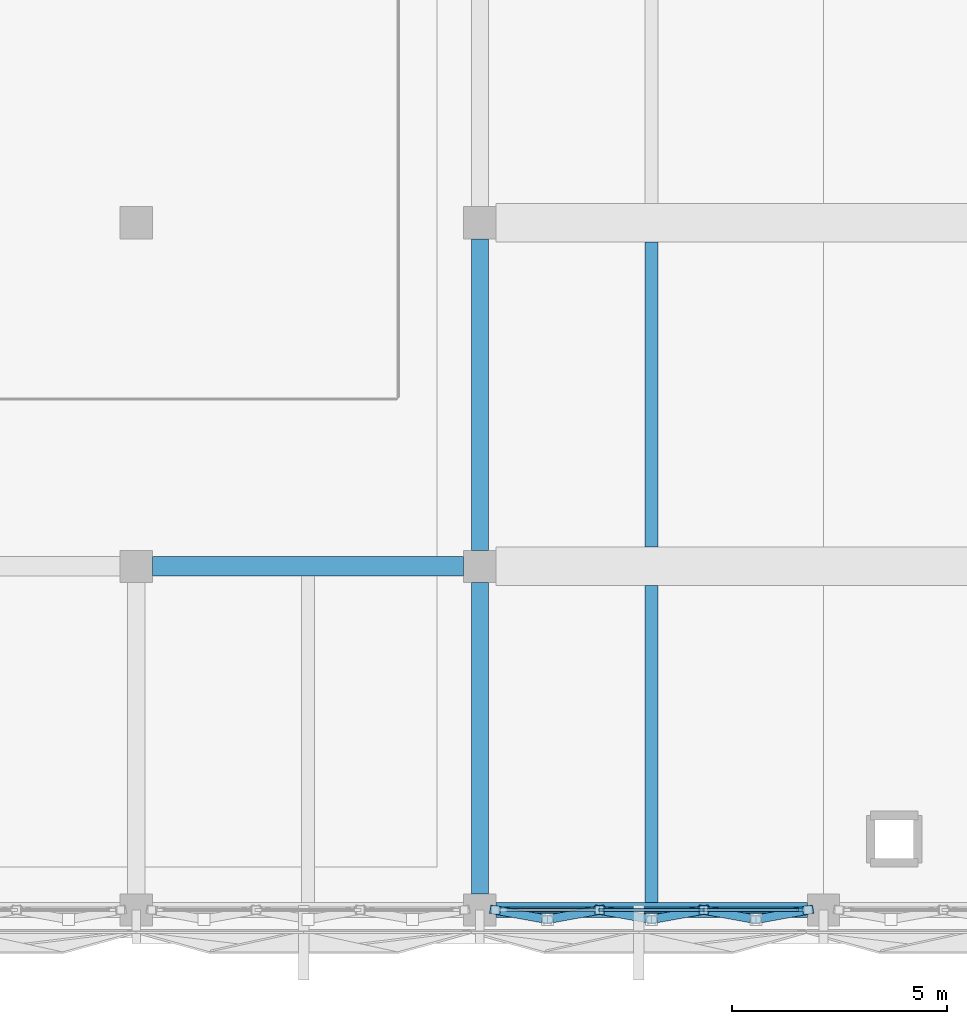
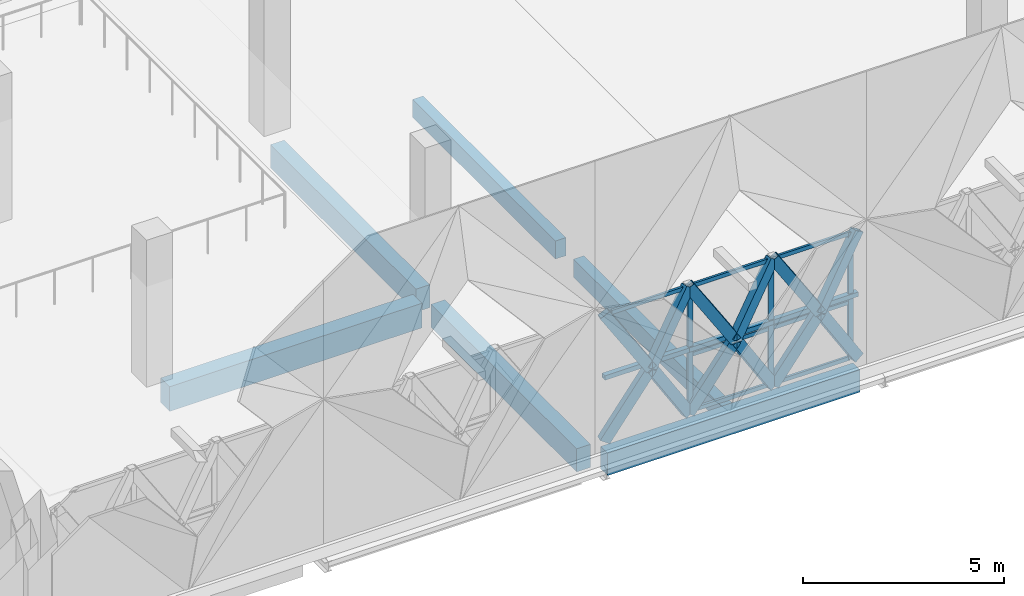
# One storey, part 6 of 53: 25 members, 6 beams, 1 element without a shape of its own.
"""IFC4 building model written with IfcOpenShell, lengths in metres."""

import ifcopenshell
import ifcopenshell.guid

model = None  # the IFC model being written
_history = None  # IfcOwnerHistory: only IFC2X3 demands one
_inside = {}  # id of a spatial element -> (the spatial element, [elements in it])
_under = {}  # id of a project, library or spatial element -> (it, [spatial elements below it])
_declared = {}  # id of a project -> (the project, [libraries it declares])
_typed = {}  # id of a type object -> (the type object, [elements of that type])
_made_of = {}  # id of a material, layer set ... -> (it, [elements and type objects made of it])


def new_model(schema):
    """Start an empty IFC model of exactly this schema.

    Asked for "IFC4X3", IfcOpenShell would pick the latest addendum, in which some entities
    have other attributes; the version numbers below select the first issue.
    IFC2X3 requires an IfcOwnerHistory on every rooted entity: one is made here for all.
    """
    global model, _history
    if schema == "IFC4X3":
        model = ifcopenshell.file(schema_version=(4, 3, 0, 0))
    else:
        model = ifcopenshell.file(schema=schema)
    _inside.clear()
    _under.clear()
    _declared.clear()
    _typed.clear()
    _made_of.clear()
    _history = None
    if model.schema == "IFC2X3":
        org = make("IfcOrganization", Name="unknown")
        user = make(
            "IfcPersonAndOrganization",
            ThePerson=make("IfcPerson", FamilyName="unknown"),
            TheOrganization=org,
        )
        app = make(
            "IfcApplication",
            ApplicationDeveloper=org,
            Version="unknown",
            ApplicationFullName="unknown",
            ApplicationIdentifier="unknown",
        )
        _history = make(
            "IfcOwnerHistory",
            OwningUser=user,
            OwningApplication=app,
            ChangeAction="ADDED",
            CreationDate=0,
        )
    return model


def make(cls, **values):
    """One entity of the class cls with the attributes given. An attribute that is None is left unset."""
    return model.create_entity(
        cls, **{name: value for name, value in values.items() if value is not None}
    )


def rooted(cls, **values):
    """An entity with a GlobalId (a new one), such as an element, a storey or a relation."""
    return make(cls, GlobalId=ifcopenshell.guid.new(), OwnerHistory=_history, **values)


def si_unit(unit_type, name, prefix=None):
    """IfcSIUnit, for example si_unit("LENGTHUNIT", "METRE", prefix="MILLI")."""
    return make("IfcSIUnit", UnitType=unit_type, Prefix=prefix, Name=name)


def assignment(units):
    """IfcUnitAssignment: the units of a project."""
    return None if units is None else make("IfcUnitAssignment", Units=units)


def point(xyz):
    """IfcCartesianPoint."""
    return None if xyz is None else make("IfcCartesianPoint", Coordinates=xyz)


def direction(xyz):
    """IfcDirection."""
    return None if xyz is None else make("IfcDirection", DirectionRatios=xyz)


def frame(location, z_axis=None, x_axis=None):
    """IfcAxis2Placement3D, a coordinate frame: its origin and axes. An axis left out is left unset."""
    return make(
        "IfcAxis2Placement3D",
        Location=point(location),
        Axis=direction(z_axis),
        RefDirection=direction(x_axis),
    )


def frame_2d(location, x_axis=None):
    """IfcAxis2Placement2D, a coordinate frame in the plane: its origin and x axis."""
    return make(
        "IfcAxis2Placement2D", Location=point(location), RefDirection=direction(x_axis)
    )


def origin():
    """The frame at (0, 0, 0) with its axes left unset."""
    return frame((0.0, 0.0, 0.0))


def origin_2d():
    """The frame at (0, 0) in the plane with its x axis left unset."""
    return frame_2d((0.0, 0.0))


def place(relative_to, where):
    """IfcLocalPlacement: puts the frame where relative to a parent placement (None: the world)."""
    return make(
        "IfcLocalPlacement", PlacementRelTo=relative_to, RelativePlacement=where
    )


def context(
    kind, dimensions, precision=None, world=None, true_north=None, identifier=None
):
    """IfcGeometricRepresentationContext, for example the 3D "Model" context."""
    return make(
        "IfcGeometricRepresentationContext",
        ContextIdentifier=identifier,
        ContextType=kind,
        CoordinateSpaceDimension=dimensions,
        Precision=precision,
        WorldCoordinateSystem=world,
        TrueNorth=true_north,
    )


def subcontext(parent, identifier, kind, view, scale=None):
    """IfcGeometricRepresentationSubContext, for example "Body" below "Model"."""
    return make(
        "IfcGeometricRepresentationSubContext",
        ContextIdentifier=identifier,
        ContextType=kind,
        ParentContext=parent,
        TargetScale=scale,
        TargetView=view,
    )


def project(units=None, contexts=None):
    """IfcProject with its units and contexts."""
    return rooted(
        "IfcProject",
        Name="project",
        RepresentationContexts=contexts,
        UnitsInContext=assignment(units),
    )


def spatial(cls, under=None, at=None, **own):
    """A site, building, storey or space (cls), placed at a placement, below another one or the project."""
    s = rooted(cls, ObjectPlacement=at, **own)
    if under is not None:
        _under.setdefault(under.id(), (under, []))[1].append(s)
    return s


def profile(cls, at=None, kind="AREA", **sizes):
    """A parametric profile (cls). Its sizes go by their IFC names, for example OverallWidth=200.0."""
    return make(cls, ProfileType=kind, Position=at, **sizes)


def rectangle(**sizes):
    """IfcRectangleProfileDef."""
    return profile("IfcRectangleProfileDef", **sizes)


def hollow_rectangle(**sizes):
    """IfcRectangleHollowProfileDef."""
    return profile("IfcRectangleHollowProfileDef", **sizes)


def extrude(swept, where, along, depth):
    """IfcExtrudedAreaSolid: the profile swept, set in the frame where, extruded along a direction by depth."""
    return make(
        "IfcExtrudedAreaSolid",
        SweptArea=swept,
        Position=where,
        ExtrudedDirection=direction(along),
        Depth=depth,
    )


def shape(context_of_items, identifier, shape_type, items):
    """IfcShapeRepresentation: the items that make up one representation, for example the "Body"."""
    return make(
        "IfcShapeRepresentation",
        ContextOfItems=context_of_items,
        RepresentationIdentifier=identifier,
        RepresentationType=shape_type,
        Items=items,
    )


def material(Name=None, Category=None):
    """IfcMaterial."""
    return make("IfcMaterial", Name=Name, Category=Category)


def layer(
    of_material, thickness, ventilated=None, Name=None, Category=None, Priority=None
):
    """IfcMaterialLayer: one layer of a wall or slab, of a material (None: an air gap)."""
    return make(
        "IfcMaterialLayer",
        Material=of_material,
        LayerThickness=thickness,
        IsVentilated=ventilated,
        Name=Name,
        Category=Category,
        Priority=Priority,
    )


def layer_set(layers, Name=None):
    """IfcMaterialLayerSet."""
    return make("IfcMaterialLayerSet", MaterialLayers=layers, LayerSetName=Name)


def material_profile(
    of_material, cross_section, Name=None, Category=None, Priority=None
):
    """IfcMaterialProfile: a cross section and its material."""
    return make(
        "IfcMaterialProfile",
        Name=Name,
        Material=of_material,
        Profile=cross_section,
        Priority=Priority,
        Category=Category,
    )


def profile_set(profiles, Name=None, composite=None):
    """IfcMaterialProfileSet."""
    return make(
        "IfcMaterialProfileSet",
        Name=Name,
        MaterialProfiles=profiles,
        CompositeProfile=composite,
    )


def made_of(thing, what):
    """Note that an element or type object is made of a material, layer set ...; save() writes the relation."""
    if what is not None:
        _made_of.setdefault(what.id(), (what, []))[1].append(thing)
    return thing


def type_object(cls, material=None, **own):
    """A type object (cls), such as IfcWallType, which elements share."""
    return made_of(rooted(cls, **own), material)


def element(
    cls,
    number,
    at=None,
    inside=None,
    cuts=None,
    type_object=None,
    material=None,
    context=None,
    identifier="Body",
    shape_type=None,
    held_by="IfcProductDefinitionShape",
    body=None,
    shapes=None,
    **own,
):
    """One element of the class cls, such as IfcWall. Its Tag is "e" and its number.

    at: its placement. inside: the storey or other place that contains it. cuts: it is an
    opening in that element (IfcRelVoidsElement). A single representation is given by context,
    identifier, shape_type and body (its items); several are given by shapes. held_by: the class
    of the entity that holds the representations. save() writes the other relations.
    """
    e = rooted(cls, Tag="e%d" % number, ObjectPlacement=at, **own)
    if body is not None:
        shapes = [shape(context, identifier, shape_type, body)]
    if shapes is not None:
        e.Representation = make(held_by, Representations=shapes)
    if inside is not None:
        _inside.setdefault(inside.id(), (inside, []))[1].append(e)
    if cuts is not None:
        rooted(
            "IfcRelVoidsElement", RelatingBuildingElement=cuts, RelatedOpeningElement=e
        )
    if type_object is not None:
        _typed.setdefault(type_object.id(), (type_object, []))[1].append(e)
    return made_of(e, material)


def aggregate(whole, parts):
    """IfcRelAggregates: a whole, such as a stair, and the parts it consists of."""
    return rooted("IfcRelAggregates", RelatingObject=whole, RelatedObjects=parts)


def save(model, path):
    """Write the relations noted so far, then the file.

    IfcRelAggregates (storeys below a building ...), IfcRelContainedInSpatialStructure (elements
    in a storey), IfcRelDefinesByType, IfcRelAssociatesMaterial and IfcRelDeclares: one each for
    every whole, place, type object, material and project.
    """
    for whole, parts in _under.values():
        aggregate(whole, parts)
    for where, things in _inside.values():
        rooted(
            "IfcRelContainedInSpatialStructure",
            RelatedElements=things,
            RelatingStructure=where,
        )
    for kind, things in _typed.values():
        rooted("IfcRelDefinesByType", RelatedObjects=things, RelatingType=kind)
    for what, things in _made_of.values():
        rooted("IfcRelAssociatesMaterial", RelatedObjects=things, RelatingMaterial=what)
    for by, libraries in _declared.values():
        rooted("IfcRelDeclares", RelatingContext=by, RelatedDefinitions=libraries)
    model.write(path)


model = new_model("IFC4")

# Units and contexts
model_context = context("Model", 3, precision=1e-05, world=origin(), true_north=direction((0.0, 1.0)))
body_context = subcontext(model_context, "Body", "Model", "MODEL_VIEW")
ifc_project = project(units=[si_unit("LENGTHUNIT", "METRE"), si_unit("AREAUNIT", "SQUARE_METRE"), si_unit("VOLUMEUNIT", "CUBIC_METRE"), si_unit("PLANEANGLEUNIT", "RADIAN"), si_unit("MASSUNIT", "GRAM", prefix="KILO")], contexts=[model_context])

# Site, building, storey
site_placement = place(None, origin())
site = spatial("IfcSite", under=ifc_project, at=site_placement, CompositionType="ELEMENT")
building_placement = place(site_placement, origin())
building = spatial("IfcBuilding", under=site, at=building_placement, Name="Qorikala Patio Media Centre", CompositionType="ELEMENT")
storey_placement = place(building_placement, frame((0.0, 0.0, 5.39990234375)))
storey = spatial("IfcBuildingStorey", under=building, at=storey_placement, Name="L01", CompositionType="ELEMENT", Elevation=5.39990234375)

# Beams
ifc_material_1 = material(Name="Concrete C35/45", Category="concrete")
ifc_material_profile_1 = material_profile(ifc_material_1, rectangle(XDim=0.39990234375, YDim=0.699951171875, at=origin_2d()), Name="RC 400x700")
ifc_profile_set_1 = profile_set([ifc_material_profile_1], Name="Concrete C35/45")
beam_type_1 = type_object("IfcBeamType", Name="BM-G400X700", PredefinedType="BEAM", material=ifc_profile_set_1)
for number, where, z_axis, x_axis, name in (
    (1, (59.0, 3.375, -0.64990234375), (0.0, 1.0, 0.0), (-1.0, 0.0, 0.0), "L01 Grid X=59 Beam 0605"),
    (2, (59.0, 11.375, -0.64990234375), (0.0, 1.0, 0.0), (-1.0, 0.0, 0.0), "L01 Grid X=59 Beam 0606"),
):
    element("IfcBeam", number, at=place(storey_placement, frame(where, z_axis=z_axis, x_axis=x_axis)), inside=storey, type_object=beam_type_1, Name=name, PredefinedType="BEAM", context=body_context, shape_type="SweptSolid", body=[
        extrude(rectangle(XDim=0.39990234375, YDim=0.699951171875, at=origin_2d()), origin(), (0.0, 0.0, 1.0), 7.25),
    ])
ifc_material_profile_2 = material_profile(ifc_material_1, rectangle(XDim=0.449951171875, YDim=0.75, at=origin_2d()), Name="RC 450x750")
ifc_profile_set_2 = profile_set([ifc_material_profile_2], Name="Concrete C35/45")
beam_type_2 = type_object("IfcBeamType", Name="BM-G450X750", PredefinedType="BEAM", material=ifc_profile_set_2)
beam_1_placement = place(storey_placement, frame((51.375, 11.0, -0.6748046875), z_axis=(1.0, 0.0, 0.0), x_axis=(0.0, 1.0, 0.0)))
element("IfcBeam", 3, at=beam_1_placement, inside=storey, type_object=beam_type_2, Name="L01 Grid 11 Beam 0426", PredefinedType="BEAM", context=body_context, shape_type="SweptSolid", body=[
    extrude(rectangle(XDim=0.449951171875, YDim=0.75, at=origin_2d()), origin(), (0.0, 0.0, 1.0), 7.25),
])

# Members
ifc_material_2 = material(Name="Golden Bronze Coated Steel S355", Category="steel")
ifc_material_profile_3 = material_profile(ifc_material_2, hollow_rectangle(XDim=0.139892578125, YDim=0.139892578125, WallThickness=0.006103515625, at=origin_2d()), Name="HSS140X140X6")
ifc_profile_set_3 = profile_set([ifc_material_profile_3], Name="Golden Bronze Coated Steel S355")
member_type_1 = type_object("IfcMemberType", Name="BRACE-DIA140", PredefinedType="BRACE", material=ifc_profile_set_3)
member_1_placement = place(storey_placement, frame((66.639892578125, 3.0, 1.925048828125), z_axis=(-1.0, 0.0, 0.0), x_axis=(0.0, -1.0, 0.0)))
element("IfcMember", 4, at=member_1_placement, inside=storey, type_object=member_type_1, Name="L01 Diamond Fold Tie 025", PredefinedType="BRACE", context=body_context, shape_type="SweptSolid", body=[
    extrude(hollow_rectangle(XDim=0.139892578125, YDim=0.139892578125, WallThickness=0.006103515625, at=origin_2d()), origin(), (0.0, 0.0, 1.0), 2.426513671875),
])
member_2_placement = place(storey_placement, frame((64.21337890625, 3.0, 1.925048828125), z_axis=(-1.0, 0.0, 0.0), x_axis=(0.0, -1.0, 0.0)))
element("IfcMember", 5, at=member_2_placement, inside=storey, type_object=member_type_1, Name="L01 Diamond Fold Tie 026", PredefinedType="BRACE", context=body_context, shape_type="SweptSolid", body=[
    extrude(hollow_rectangle(XDim=0.139892578125, YDim=0.139892578125, WallThickness=0.006103515625, at=origin_2d()), origin(), (0.0, 0.0, 1.0), 2.4267578125),
])
member_3_placement = place(storey_placement, frame((61.78662109375, 3.0, 1.925048828125), z_axis=(-1.0, 0.0, 0.0), x_axis=(0.0, -1.0, 0.0)))
element("IfcMember", 6, at=member_3_placement, inside=storey, type_object=member_type_1, Name="L01 Diamond Fold Tie 027", PredefinedType="BRACE", context=body_context, shape_type="SweptSolid", body=[
    extrude(hollow_rectangle(XDim=0.139892578125, YDim=0.139892578125, WallThickness=0.006103515625, at=origin_2d()), origin(), (0.0, 0.0, 1.0), 2.426513671875),
])

# Curtain wall, members
ifc_material_3 = material(Name="Golden Bronze Anodised Aluminium and Low-E Glass", Category="aluminium")
ifc_layer = layer(ifc_material_3, 0.159912109375)
ifc_layer_set = layer_set([ifc_layer], Name="Golden Bronze Anodised Aluminium and Low-E Glass")
curtain_wall_type = type_object("IfcCurtainWallType", Name="CW-DIA-696X385", PredefinedType="USERDEFINED", material=ifc_layer_set)
curtain_wall_placement = place(storey_placement, origin())
curtain_wall = element("IfcCurtainWall", 7, at=curtain_wall_placement, inside=storey, type_object=curtain_wall_type, Name="L01 Courtyard Curtain Wall 037", ObjectType="COURTYARD CURTAIN WALL", PredefinedType="USERDEFINED")
ifc_material_4 = material(Name="Golden Bronze Anodised Aluminium", Category="aluminium")
ifc_material_profile_4 = material_profile(ifc_material_4, rectangle(XDim=0.06494140625, YDim=0.14990234375, at=origin_2d()), Name="ALU MULLION 65x150")
ifc_profile_set_4 = profile_set([ifc_material_profile_4], Name="Golden Bronze Anodised Aluminium")
member_type_2 = type_object("IfcMemberType", Name="CWM-65X150", PredefinedType="MULLION", material=ifc_profile_set_4)
member_4_placement = place(storey_placement, frame((66.447509765625, 3.0, 0.0), z_axis=(0.0, 0.0, 1.0), x_axis=(0.0, -1.0, 0.0)))
member_4 = element("IfcMember", 8, at=member_4_placement, type_object=member_type_2, Name="CWD696385 mullion 1", PredefinedType="MULLION", context=body_context, shape_type="SweptSolid", body=[
    extrude(rectangle(XDim=0.06494140625, YDim=0.14990234375, at=origin_2d()), origin(), (0.0, 0.0, 1.0), 3.85009765625),
])
member_5_placement = place(storey_placement, frame((64.159912109375, 3.0, 0.0), z_axis=(0.0, 0.0, 1.0), x_axis=(0.0, -1.0, 0.0)))
member_5 = element("IfcMember", 9, at=member_5_placement, type_object=member_type_2, Name="CWD696385 mullion 2", PredefinedType="MULLION", context=body_context, shape_type="SweptSolid", body=[
    extrude(rectangle(XDim=0.06494140625, YDim=0.14990234375, at=origin_2d()), origin(), (0.0, 0.0, 1.0), 3.85009765625),
])
member_6_placement = place(storey_placement, frame((61.840087890625, 3.0, 0.0), z_axis=(0.0, 0.0, 1.0), x_axis=(0.0, -1.0, 0.0)))
member_6 = element("IfcMember", 10, at=member_6_placement, type_object=member_type_2, Name="CWD696385 mullion 3", PredefinedType="MULLION", context=body_context, shape_type="SweptSolid", body=[
    extrude(rectangle(XDim=0.06494140625, YDim=0.14990234375, at=origin_2d()), origin(), (0.0, 0.0, 1.0), 3.85009765625),
])
ifc_material_profile_5 = material_profile(ifc_material_4, rectangle(XDim=0.06494140625, YDim=0.1201171875, at=origin_2d()), Name="ALU TRANSOM 65x120")
ifc_profile_set_5 = profile_set([ifc_material_profile_5], Name="Golden Bronze Anodised Aluminium")
member_type_3 = type_object("IfcMemberType", Name="CWT-65X120", PredefinedType="USERDEFINED", material=ifc_profile_set_5)
member_7_placement = place(storey_placement, frame((66.4150390625, 3.0, 0.03271484375), z_axis=(-1.0, 0.0, 0.0), x_axis=(0.0, -1.0, 0.0)))
member_7 = element("IfcMember", 11, at=member_7_placement, type_object=member_type_3, Name="CWD696385 transom 1.1", ObjectType="TRANSOM", PredefinedType="USERDEFINED", context=body_context, shape_type="SweptSolid", body=[
    extrude(rectangle(XDim=0.06494140625, YDim=0.1201171875, at=origin_2d()), origin(), (0.0, 0.0, 1.0), 2.22265625),
])
member_8_placement = place(storey_placement, frame((66.4150390625, 3.0, 1.732666015625), z_axis=(-1.0, 0.0, 0.0), x_axis=(0.0, -1.0, 0.0)))
member_8 = element("IfcMember", 12, at=member_8_placement, type_object=member_type_3, Name="CWD696385 transom 1.2", ObjectType="TRANSOM", PredefinedType="USERDEFINED", context=body_context, shape_type="SweptSolid", body=[
    extrude(rectangle(XDim=0.06494140625, YDim=0.1201171875, at=origin_2d()), origin(), (0.0, 0.0, 1.0), 2.22265625),
])
member_9_placement = place(storey_placement, frame((66.4150390625, 3.0, 3.817626953125), z_axis=(-1.0, 0.0, 0.0), x_axis=(0.0, -1.0, 0.0)))
member_9 = element("IfcMember", 13, at=member_9_placement, type_object=member_type_3, Name="CWD696385 transom 1.3", ObjectType="TRANSOM", PredefinedType="USERDEFINED", context=body_context, shape_type="SweptSolid", body=[
    extrude(rectangle(XDim=0.06494140625, YDim=0.1201171875, at=origin_2d()), origin(), (0.0, 0.0, 1.0), 2.22265625),
])
member_10_placement = place(storey_placement, frame((64.12744140625, 3.0, 0.03271484375), z_axis=(-1.0, 0.0, 0.0), x_axis=(0.0, -1.0, 0.0)))
member_10 = element("IfcMember", 14, at=member_10_placement, type_object=member_type_3, Name="CWD696385 transom 2.1", ObjectType="TRANSOM", PredefinedType="USERDEFINED", context=body_context, shape_type="SweptSolid", body=[
    extrude(rectangle(XDim=0.06494140625, YDim=0.1201171875, at=origin_2d()), origin(), (0.0, 0.0, 1.0), 2.2548828125),
])
member_11_placement = place(storey_placement, frame((64.12744140625, 3.0, 1.732666015625), z_axis=(-1.0, 0.0, 0.0), x_axis=(0.0, -1.0, 0.0)))
member_11 = element("IfcMember", 15, at=member_11_placement, type_object=member_type_3, Name="CWD696385 transom 2.2", ObjectType="TRANSOM", PredefinedType="USERDEFINED", context=body_context, shape_type="SweptSolid", body=[
    extrude(rectangle(XDim=0.06494140625, YDim=0.1201171875, at=origin_2d()), origin(), (0.0, 0.0, 1.0), 2.2548828125),
])
member_12_placement = place(storey_placement, frame((64.12744140625, 3.0, 3.817626953125), z_axis=(-1.0, 0.0, 0.0), x_axis=(0.0, -1.0, 0.0)))
member_12 = element("IfcMember", 16, at=member_12_placement, type_object=member_type_3, Name="CWD696385 transom 2.3", ObjectType="TRANSOM", PredefinedType="USERDEFINED", context=body_context, shape_type="SweptSolid", body=[
    extrude(rectangle(XDim=0.06494140625, YDim=0.1201171875, at=origin_2d()), origin(), (0.0, 0.0, 1.0), 2.2548828125),
])
member_13_placement = place(storey_placement, frame((61.8076171875, 3.0, 3.817626953125), z_axis=(-1.0, 0.0, 0.0), x_axis=(0.0, -1.0, 0.0)))
member_13 = element("IfcMember", 17, at=member_13_placement, type_object=member_type_3, Name="CWD696385 transom 3.3", ObjectType="TRANSOM", PredefinedType="USERDEFINED", context=body_context, shape_type="SweptSolid", body=[
    extrude(rectangle(XDim=0.06494140625, YDim=0.1201171875, at=origin_2d()), origin(), (0.0, 0.0, 1.0), 2.22265625),
])
aggregate(curtain_wall, [member_4, member_5, member_6, member_7, member_8, member_9, member_10, member_11, member_12, member_13])

# Beams
ifc_material_profile_6 = material_profile(ifc_material_1, rectangle(XDim=0.300048828125, YDim=0.550048828125, at=origin_2d()), Name="RC 300x550")
ifc_profile_set_6 = profile_set([ifc_material_profile_6], Name="Concrete C35/45")
beam_type_3 = type_object("IfcBeamType", Name="JS-300X550", PredefinedType="JOIST", material=ifc_profile_set_6)
beam_2_placement = place(storey_placement, frame((63.0, 3.175048828125, -0.574951171875), z_axis=(0.0, 1.0, 0.0), x_axis=(-1.0, 0.0, 0.0)))
element("IfcBeam", 18, at=beam_2_placement, inside=storey, type_object=beam_type_3, Name="L01 Secondary Joist 0711", PredefinedType="JOIST", context=body_context, shape_type="SweptSolid", body=[
    extrude(rectangle(XDim=0.300048828125, YDim=0.550048828125, at=origin_2d()), origin(), (0.0, 0.0, 1.0), 7.375),
])
beam_3_placement = place(storey_placement, frame((63.0, 11.449951171875, -0.574951171875), z_axis=(0.0, 1.0, 0.0), x_axis=(-1.0, 0.0, 0.0)))
element("IfcBeam", 19, at=beam_3_placement, inside=storey, type_object=beam_type_3, Name="L01 Secondary Joist 0712", PredefinedType="JOIST", context=body_context, shape_type="SweptSolid", body=[
    extrude(rectangle(XDim=0.300048828125, YDim=0.550048828125, at=origin_2d()), origin(), (0.0, 0.0, 1.0), 7.10009765625),
])
ifc_material_profile_7 = material_profile(ifc_material_1, rectangle(XDim=0.35009765625, YDim=0.679931640625, at=origin_2d()), Name="RC 350x680")
ifc_profile_set_7 = profile_set([ifc_material_profile_7], Name="Concrete C35/45")
beam_type_4 = type_object("IfcBeamType", Name="SP-350X680", PredefinedType="SPANDREL", material=ifc_profile_set_7)
beam_4_placement = place(storey_placement, frame((59.375, 3.0, -0.639892578125), z_axis=(1.0, 0.0, 0.0), x_axis=(0.0, 1.0, 0.0)))
element("IfcBeam", 20, at=beam_4_placement, inside=storey, type_object=beam_type_4, Name="L01 Grid 3 Beam 0406", PredefinedType="SPANDREL", context=body_context, shape_type="SweptSolid", body=[
    extrude(rectangle(XDim=0.35009765625, YDim=0.679931640625, at=origin_2d()), origin(), (0.0, 0.0, 1.0), 7.25),
])

# Members
ifc_material_profile_8 = material_profile(ifc_material_2, hollow_rectangle(XDim=0.199951171875, YDim=0.300048828125, WallThickness=0.011962890625, at=origin_2d()), Name="HSS300X200X12")
ifc_profile_set_8 = profile_set([ifc_material_profile_8], Name="Golden Bronze Coated Steel S355")
member_type_4 = type_object("IfcMemberType", Name="STRUT-DIA300", PredefinedType="STRUT", material=ifc_profile_set_8)
member_14_placement = place(storey_placement, frame((66.639892578125, 3.0, 0.0), z_axis=(-0.530691378365, -0.095906793675, 0.842121456713), x_axis=(0.17783968734, -0.984059472596, 0.0)))
element("IfcMember", 21, at=member_14_placement, inside=storey, type_object=member_type_4, Name="L01 Diamond Foyer Fold Strut 025-DL1", PredefinedType="STRUT", context=body_context, shape_type="SweptSolid", body=[
    extrude(hollow_rectangle(XDim=0.199951171875, YDim=0.300048828125, WallThickness=0.011962890625, at=origin_2d()), origin(), (0.0, 0.0, 1.0), 2.285888671875),
])
member_15_placement = place(storey_placement, frame((64.21337890625, 3.0, 0.0), z_axis=(0.530768093717, -0.095901357778, 0.842073726148), x_axis=(0.177805036072, 0.98406573416, 0.0)))
element("IfcMember", 22, at=member_15_placement, inside=storey, type_object=member_type_4, Name="L01 Diamond Foyer Fold Strut 025-DL2", PredefinedType="STRUT", context=body_context, shape_type="SweptSolid", body=[
    extrude(hollow_rectangle(XDim=0.199951171875, YDim=0.300048828125, WallThickness=0.011962890625, at=origin_2d()), origin(), (0.0, 0.0, 1.0), 2.2861328125),
])
member_16_placement = place(storey_placement, frame((65.4267578125, 2.78076171875, 1.925048828125), z_axis=(0.530691378365, 0.095906793675, 0.842121456713), x_axis=(-0.17783968734, 0.984059472596, 0.0)))
element("IfcMember", 23, at=member_16_placement, inside=storey, type_object=member_type_4, Name="L01 Diamond Foyer Fold Strut 025-DU1", PredefinedType="STRUT", context=body_context, shape_type="SweptSolid", body=[
    extrude(hollow_rectangle(XDim=0.199951171875, YDim=0.300048828125, WallThickness=0.011962890625, at=origin_2d()), origin(), (0.0, 0.0, 1.0), 2.285888671875),
])
for number, where, z_axis, x_axis, name in (
    (24, (65.4267578125, 2.78076171875, 1.925048828125), (-0.530768093717, 0.095901357778, 0.842073726148), (-0.177805036072, -0.98406573416, 0.0), "L01 Diamond Foyer Fold Strut 025-DU2"),
    (25, (64.21337890625, 3.0, 0.0), (-0.530768093717, -0.095901357778, 0.842073726148), (0.177805036072, -0.98406573416, 0.0), "L01 Diamond Foyer Fold Strut 026-DL1"),
    (26, (61.78662109375, 3.0, 0.0), (0.530768093717, -0.095901357778, 0.842073726148), (0.177805036072, 0.98406573416, 0.0), "L01 Diamond Foyer Fold Strut 026-DL2"),
    (27, (63.0, 2.78076171875, 1.925048828125), (0.530768093717, 0.095901357778, 0.842073726148), (-0.177805036072, 0.98406573416, 0.0), "L01 Diamond Foyer Fold Strut 026-DU1"),
    (28, (63.0, 2.78076171875, 1.925048828125), (-0.530768093717, 0.095901357778, 0.842073726148), (-0.177805036072, -0.98406573416, 0.0), "L01 Diamond Foyer Fold Strut 026-DU2"),
    (29, (61.78662109375, 3.0, 0.0), (-0.530768093717, -0.095901357778, 0.842073726148), (0.177805036072, -0.98406573416, 0.0), "L01 Diamond Foyer Fold Strut 027-DL1"),
):
    element("IfcMember", number, at=place(storey_placement, frame(where, z_axis=z_axis, x_axis=x_axis)), inside=storey, type_object=member_type_4, Name=name, PredefinedType="STRUT", context=body_context, shape_type="SweptSolid", body=[
        extrude(hollow_rectangle(XDim=0.199951171875, YDim=0.300048828125, WallThickness=0.011962890625, at=origin_2d()), origin(), (0.0, 0.0, 1.0), 2.2861328125),
    ])
member_17_placement = place(storey_placement, frame((59.360107421875, 3.0, 0.0), z_axis=(0.530691378365, -0.095906793675, 0.842121456713), x_axis=(0.17783968734, 0.984059472596, 0.0)))
element("IfcMember", 30, at=member_17_placement, inside=storey, type_object=member_type_4, Name="L01 Diamond Foyer Fold Strut 027-DL2", PredefinedType="STRUT", context=body_context, shape_type="SweptSolid", body=[
    extrude(hollow_rectangle(XDim=0.199951171875, YDim=0.300048828125, WallThickness=0.011962890625, at=origin_2d()), origin(), (0.0, 0.0, 1.0), 2.285888671875),
])
member_18_placement = place(storey_placement, frame((60.5732421875, 2.78076171875, 1.925048828125), z_axis=(0.530768093717, 0.095901357778, 0.842073726148), x_axis=(-0.177805036072, 0.98406573416, 0.0)))
element("IfcMember", 31, at=member_18_placement, inside=storey, type_object=member_type_4, Name="L01 Diamond Foyer Fold Strut 027-DU1", PredefinedType="STRUT", context=body_context, shape_type="SweptSolid", body=[
    extrude(hollow_rectangle(XDim=0.199951171875, YDim=0.300048828125, WallThickness=0.011962890625, at=origin_2d()), origin(), (0.0, 0.0, 1.0), 2.2861328125),
])
member_19_placement = place(storey_placement, frame((60.5732421875, 2.78076171875, 1.925048828125), z_axis=(-0.530691378365, 0.095906793675, 0.842121456713), x_axis=(-0.17783968734, -0.984059472596, 0.0)))
element("IfcMember", 32, at=member_19_placement, inside=storey, type_object=member_type_4, Name="L01 Diamond Foyer Fold Strut 027-DU2", PredefinedType="STRUT", context=body_context, shape_type="SweptSolid", body=[
    extrude(hollow_rectangle(XDim=0.199951171875, YDim=0.300048828125, WallThickness=0.011962890625, at=origin_2d()), origin(), (0.0, 0.0, 1.0), 2.285888671875),
])

save(model, "model.ifc")
